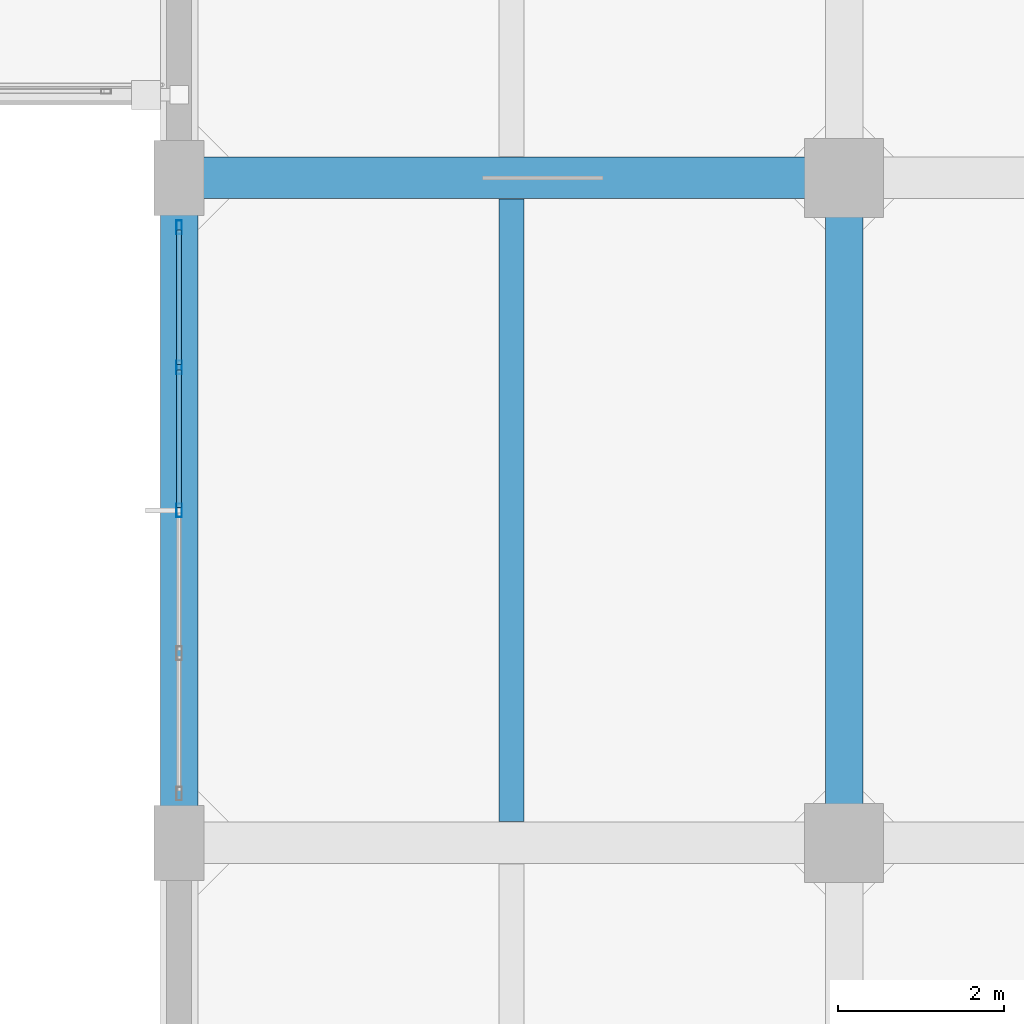
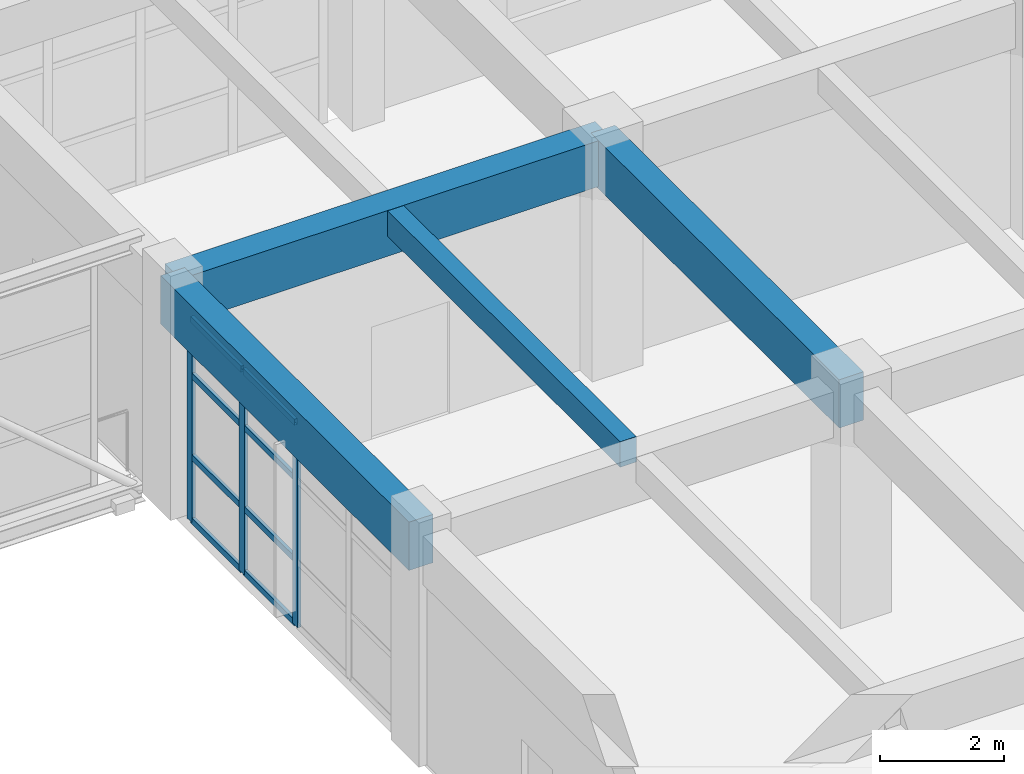
# One storey, part 111 of 248: 11 members, 4 beams, 1 element without a shape of its own.
"""IFC4 building model written with IfcOpenShell, lengths in metres."""

import ifcopenshell
import ifcopenshell.guid

model = None  # the IFC model being written
_history = None  # IfcOwnerHistory: only IFC2X3 demands one
_inside = {}  # id of a spatial element -> (the spatial element, [elements in it])
_under = {}  # id of a project, library or spatial element -> (it, [spatial elements below it])
_declared = {}  # id of a project -> (the project, [libraries it declares])
_typed = {}  # id of a type object -> (the type object, [elements of that type])
_made_of = {}  # id of a material, layer set ... -> (it, [elements and type objects made of it])


def new_model(schema):
    """Start an empty IFC model of exactly this schema.

    Asked for "IFC4X3", IfcOpenShell would pick the latest addendum, in which some entities
    have other attributes; the version numbers below select the first issue.
    IFC2X3 requires an IfcOwnerHistory on every rooted entity: one is made here for all.
    """
    global model, _history
    if schema == "IFC4X3":
        model = ifcopenshell.file(schema_version=(4, 3, 0, 0))
    else:
        model = ifcopenshell.file(schema=schema)
    _inside.clear()
    _under.clear()
    _declared.clear()
    _typed.clear()
    _made_of.clear()
    _history = None
    if model.schema == "IFC2X3":
        org = make("IfcOrganization", Name="unknown")
        user = make(
            "IfcPersonAndOrganization",
            ThePerson=make("IfcPerson", FamilyName="unknown"),
            TheOrganization=org,
        )
        app = make(
            "IfcApplication",
            ApplicationDeveloper=org,
            Version="unknown",
            ApplicationFullName="unknown",
            ApplicationIdentifier="unknown",
        )
        _history = make(
            "IfcOwnerHistory",
            OwningUser=user,
            OwningApplication=app,
            ChangeAction="ADDED",
            CreationDate=0,
        )
    return model


def make(cls, **values):
    """One entity of the class cls with the attributes given. An attribute that is None is left unset."""
    return model.create_entity(
        cls, **{name: value for name, value in values.items() if value is not None}
    )


def rooted(cls, **values):
    """An entity with a GlobalId (a new one), such as an element, a storey or a relation."""
    return make(cls, GlobalId=ifcopenshell.guid.new(), OwnerHistory=_history, **values)


def si_unit(unit_type, name, prefix=None):
    """IfcSIUnit, for example si_unit("LENGTHUNIT", "METRE", prefix="MILLI")."""
    return make("IfcSIUnit", UnitType=unit_type, Prefix=prefix, Name=name)


def assignment(units):
    """IfcUnitAssignment: the units of a project."""
    return None if units is None else make("IfcUnitAssignment", Units=units)


def point(xyz):
    """IfcCartesianPoint."""
    return None if xyz is None else make("IfcCartesianPoint", Coordinates=xyz)


def direction(xyz):
    """IfcDirection."""
    return None if xyz is None else make("IfcDirection", DirectionRatios=xyz)


def frame(location, z_axis=None, x_axis=None):
    """IfcAxis2Placement3D, a coordinate frame: its origin and axes. An axis left out is left unset."""
    return make(
        "IfcAxis2Placement3D",
        Location=point(location),
        Axis=direction(z_axis),
        RefDirection=direction(x_axis),
    )


def frame_2d(location, x_axis=None):
    """IfcAxis2Placement2D, a coordinate frame in the plane: its origin and x axis."""
    return make(
        "IfcAxis2Placement2D", Location=point(location), RefDirection=direction(x_axis)
    )


def origin():
    """The frame at (0, 0, 0) with its axes left unset."""
    return frame((0.0, 0.0, 0.0))


def origin_2d():
    """The frame at (0, 0) in the plane with its x axis left unset."""
    return frame_2d((0.0, 0.0))


def place(relative_to, where):
    """IfcLocalPlacement: puts the frame where relative to a parent placement (None: the world)."""
    return make(
        "IfcLocalPlacement", PlacementRelTo=relative_to, RelativePlacement=where
    )


def context(
    kind, dimensions, precision=None, world=None, true_north=None, identifier=None
):
    """IfcGeometricRepresentationContext, for example the 3D "Model" context."""
    return make(
        "IfcGeometricRepresentationContext",
        ContextIdentifier=identifier,
        ContextType=kind,
        CoordinateSpaceDimension=dimensions,
        Precision=precision,
        WorldCoordinateSystem=world,
        TrueNorth=true_north,
    )


def subcontext(parent, identifier, kind, view, scale=None):
    """IfcGeometricRepresentationSubContext, for example "Body" below "Model"."""
    return make(
        "IfcGeometricRepresentationSubContext",
        ContextIdentifier=identifier,
        ContextType=kind,
        ParentContext=parent,
        TargetScale=scale,
        TargetView=view,
    )


def project(units=None, contexts=None):
    """IfcProject with its units and contexts."""
    return rooted(
        "IfcProject",
        Name="project",
        RepresentationContexts=contexts,
        UnitsInContext=assignment(units),
    )


def spatial(cls, under=None, at=None, **own):
    """A site, building, storey or space (cls), placed at a placement, below another one or the project."""
    s = rooted(cls, ObjectPlacement=at, **own)
    if under is not None:
        _under.setdefault(under.id(), (under, []))[1].append(s)
    return s


def profile(cls, at=None, kind="AREA", **sizes):
    """A parametric profile (cls). Its sizes go by their IFC names, for example OverallWidth=200.0."""
    return make(cls, ProfileType=kind, Position=at, **sizes)


def rectangle(**sizes):
    """IfcRectangleProfileDef."""
    return profile("IfcRectangleProfileDef", **sizes)


def hollow_rectangle(**sizes):
    """IfcRectangleHollowProfileDef."""
    return profile("IfcRectangleHollowProfileDef", **sizes)


def extrude(swept, where, along, depth):
    """IfcExtrudedAreaSolid: the profile swept, set in the frame where, extruded along a direction by depth."""
    return make(
        "IfcExtrudedAreaSolid",
        SweptArea=swept,
        Position=where,
        ExtrudedDirection=direction(along),
        Depth=depth,
    )


def shape(context_of_items, identifier, shape_type, items):
    """IfcShapeRepresentation: the items that make up one representation, for example the "Body"."""
    return make(
        "IfcShapeRepresentation",
        ContextOfItems=context_of_items,
        RepresentationIdentifier=identifier,
        RepresentationType=shape_type,
        Items=items,
    )


def material(Name=None, Category=None):
    """IfcMaterial."""
    return make("IfcMaterial", Name=Name, Category=Category)


def layer(
    of_material, thickness, ventilated=None, Name=None, Category=None, Priority=None
):
    """IfcMaterialLayer: one layer of a wall or slab, of a material (None: an air gap)."""
    return make(
        "IfcMaterialLayer",
        Material=of_material,
        LayerThickness=thickness,
        IsVentilated=ventilated,
        Name=Name,
        Category=Category,
        Priority=Priority,
    )


def layer_set(layers, Name=None):
    """IfcMaterialLayerSet."""
    return make("IfcMaterialLayerSet", MaterialLayers=layers, LayerSetName=Name)


def material_profile(
    of_material, cross_section, Name=None, Category=None, Priority=None
):
    """IfcMaterialProfile: a cross section and its material."""
    return make(
        "IfcMaterialProfile",
        Name=Name,
        Material=of_material,
        Profile=cross_section,
        Priority=Priority,
        Category=Category,
    )


def profile_set(profiles, Name=None, composite=None):
    """IfcMaterialProfileSet."""
    return make(
        "IfcMaterialProfileSet",
        Name=Name,
        MaterialProfiles=profiles,
        CompositeProfile=composite,
    )


def made_of(thing, what):
    """Note that an element or type object is made of a material, layer set ...; save() writes the relation."""
    if what is not None:
        _made_of.setdefault(what.id(), (what, []))[1].append(thing)
    return thing


def type_object(cls, material=None, **own):
    """A type object (cls), such as IfcWallType, which elements share."""
    return made_of(rooted(cls, **own), material)


def element(
    cls,
    number,
    at=None,
    inside=None,
    cuts=None,
    type_object=None,
    material=None,
    context=None,
    identifier="Body",
    shape_type=None,
    held_by="IfcProductDefinitionShape",
    body=None,
    shapes=None,
    **own,
):
    """One element of the class cls, such as IfcWall. Its Tag is "e" and its number.

    at: its placement. inside: the storey or other place that contains it. cuts: it is an
    opening in that element (IfcRelVoidsElement). A single representation is given by context,
    identifier, shape_type and body (its items); several are given by shapes. held_by: the class
    of the entity that holds the representations. save() writes the other relations.
    """
    e = rooted(cls, Tag="e%d" % number, ObjectPlacement=at, **own)
    if body is not None:
        shapes = [shape(context, identifier, shape_type, body)]
    if shapes is not None:
        e.Representation = make(held_by, Representations=shapes)
    if inside is not None:
        _inside.setdefault(inside.id(), (inside, []))[1].append(e)
    if cuts is not None:
        rooted(
            "IfcRelVoidsElement", RelatingBuildingElement=cuts, RelatedOpeningElement=e
        )
    if type_object is not None:
        _typed.setdefault(type_object.id(), (type_object, []))[1].append(e)
    return made_of(e, material)


def aggregate(whole, parts):
    """IfcRelAggregates: a whole, such as a stair, and the parts it consists of."""
    return rooted("IfcRelAggregates", RelatingObject=whole, RelatedObjects=parts)


def save(model, path):
    """Write the relations noted so far, then the file.

    IfcRelAggregates (storeys below a building ...), IfcRelContainedInSpatialStructure (elements
    in a storey), IfcRelDefinesByType, IfcRelAssociatesMaterial and IfcRelDeclares: one each for
    every whole, place, type object, material and project.
    """
    for whole, parts in _under.values():
        aggregate(whole, parts)
    for where, things in _inside.values():
        rooted(
            "IfcRelContainedInSpatialStructure",
            RelatedElements=things,
            RelatingStructure=where,
        )
    for kind, things in _typed.values():
        rooted("IfcRelDefinesByType", RelatedObjects=things, RelatingType=kind)
    for what, things in _made_of.values():
        rooted("IfcRelAssociatesMaterial", RelatedObjects=things, RelatingMaterial=what)
    for by, libraries in _declared.values():
        rooted("IfcRelDeclares", RelatingContext=by, RelatedDefinitions=libraries)
    model.write(path)


model = new_model("IFC4")

# Units and contexts
model_context = context("Model", 3, precision=1e-05, world=origin(), true_north=direction((0.0, 1.0)))
body_context = subcontext(model_context, "Body", "Model", "MODEL_VIEW")
ifc_project = project(units=[si_unit("LENGTHUNIT", "METRE"), si_unit("AREAUNIT", "SQUARE_METRE"), si_unit("VOLUMEUNIT", "CUBIC_METRE"), si_unit("PLANEANGLEUNIT", "RADIAN"), si_unit("MASSUNIT", "GRAM", prefix="KILO")], contexts=[model_context])

# Site, building, storey
site_placement = place(None, origin())
site = spatial("IfcSite", under=ifc_project, at=site_placement, CompositionType="ELEMENT")
building_placement = place(site_placement, origin())
building = spatial("IfcBuilding", under=site, at=building_placement, Name="Canggui Botanical Conservatory", CompositionType="ELEMENT")
storey_placement = place(building_placement, frame((0.0, 0.0, 5.39990234375)))
storey = spatial("IfcBuildingStorey", under=building, at=storey_placement, Name="L02", CompositionType="ELEMENT", Elevation=5.39990234375)

# Beams
ifc_material_1 = material(Name="Concrete C35", Category="concrete")
ifc_material_profile_1 = material_profile(ifc_material_1, rectangle(XDim=0.300048828125, YDim=0.5, at=origin_2d()), Name="RB 300x500")
ifc_profile_set_1 = profile_set([ifc_material_profile_1], Name="Concrete C35")
beam_type_1 = type_object("IfcBeamType", Name="BM-JST02", PredefinedType="JOIST", material=ifc_profile_set_1)
beam_1_placement = place(storey_placement, frame((134.0, 66.2548828125, 4.27001953125), z_axis=(0.0, 1.0, 0.0), x_axis=(-1.0, 0.0, 0.0)))
element("IfcBeam", 1, at=beam_1_placement, inside=storey, type_object=beam_type_1, Name="Secondary Floor Joist L02-1-6", PredefinedType="JOIST", context=body_context, shape_type="SweptSolid", body=[
    extrude(rectangle(XDim=0.300048828125, YDim=0.5, at=origin_2d()), origin(), (0.0, 0.0, 1.0), 7.490234375),
])
ifc_material_profile_2 = material_profile(ifc_material_1, rectangle(XDim=0.5, YDim=0.89990234375, at=origin_2d()), Name="RB 500x900")
ifc_profile_set_2 = profile_set([ifc_material_profile_2], Name="Concrete C35")
beam_type_2 = type_object("IfcBeamType", Name="BM-KL03", PredefinedType="BEAM", material=ifc_profile_set_2)
beam_2_placement = place(storey_placement, frame((130.0, 74.0, 4.070068359375), z_axis=(1.0, 0.0, 0.0), x_axis=(0.0, 1.0, 0.0)))
element("IfcBeam", 2, at=beam_2_placement, inside=storey, type_object=beam_type_2, Name="Frame Girder L02 Y74-1", PredefinedType="BEAM", context=body_context, shape_type="SweptSolid", body=[
    extrude(rectangle(XDim=0.5, YDim=0.89990234375, at=origin_2d()), origin(), (0.0, 0.0, 1.0), 8.0),
])
ifc_material_profile_3 = material_profile(ifc_material_1, rectangle(XDim=0.449951171875, YDim=0.949951171875, at=origin_2d()), Name="RB 450x950")
ifc_profile_set_3 = profile_set([ifc_material_profile_3], Name="Concrete C35")
beam_type_3 = type_object("IfcBeamType", Name="BM-KL04", PredefinedType="BEAM", material=ifc_profile_set_3)
for number, where, z_axis, x_axis, name in (
    (3, (130.0, 66.0, 4.045166015625), (0.0, 1.0, 0.0), (-1.0, 0.0, 0.0), "Frame Girder L02 X130-6"),
    (4, (138.0, 66.0, 4.045166015625), (0.0, 1.0, 0.0), (-1.0, 0.0, 0.0), "Frame Girder L02 X138-6"),
):
    element("IfcBeam", number, at=place(storey_placement, frame(where, z_axis=z_axis, x_axis=x_axis)), inside=storey, type_object=beam_type_3, Name=name, PredefinedType="BEAM", context=body_context, shape_type="SweptSolid", body=[
        extrude(rectangle(XDim=0.449951171875, YDim=0.949951171875, at=origin_2d()), origin(), (0.0, 0.0, 1.0), 8.0),
    ])

# Curtain wall, members
ifc_material_2 = material(Name="Thermally Broken Aluminium", Category="aluminium")
ifc_layer = layer(ifc_material_2, 0.1650390625, Name="Thermally Broken Aluminium", Category="aluminium")
ifc_layer_set = layer_set([ifc_layer], Name="Thermally Broken Aluminium")
curtain_wall_type = type_object("IfcCurtainWallType", Name="CW-UNIT-B", PredefinedType="USERDEFINED", material=ifc_layer_set)
curtain_wall_placement = place(storey_placement, origin())
curtain_wall = element("IfcCurtainWall", 5, at=curtain_wall_placement, inside=storey, type_object=curtain_wall_type, Name="Facade Curtain Wall CW-TWR-L02-12", ObjectType="UNITISED CURTAIN WALL", PredefinedType="USERDEFINED")
ifc_material_profile_4 = material_profile(ifc_material_2, hollow_rectangle(XDim=0.06494140625, YDim=0.1650390625, WallThickness=0.00390625, at=origin_2d()), Name="CWM 65x165x4")
ifc_profile_set_4 = profile_set([ifc_material_profile_4], Name="Thermally Broken Aluminium")
member_type_1 = type_object("IfcMemberType", Name="CWM-02", PredefinedType="MULLION", material=ifc_profile_set_4)
member_1_placement = place(storey_placement, frame((130.0, 70.0, 0.0), z_axis=(0.0, 0.0, 1.0), x_axis=(-1.0, 0.0, 0.0)))
member_1 = element("IfcMember", 6, at=member_1_placement, type_object=member_type_1, Name="CW-02 mullion 3", PredefinedType="MULLION", context=body_context, shape_type="SweptSolid", body=[
    extrude(hollow_rectangle(XDim=0.06494140625, YDim=0.1650390625, WallThickness=0.00390625, at=origin_2d()), origin(), (0.0, 0.0, 1.0), 4.0),
])
member_2_placement = place(storey_placement, frame((130.0, 71.719970703125, 0.0), z_axis=(0.0, 0.0, 1.0), x_axis=(-1.0, 0.0, 0.0)))
member_2 = element("IfcMember", 7, at=member_2_placement, type_object=member_type_1, Name="CW-02 mullion 4", PredefinedType="MULLION", context=body_context, shape_type="SweptSolid", body=[
    extrude(hollow_rectangle(XDim=0.06494140625, YDim=0.1650390625, WallThickness=0.00390625, at=origin_2d()), origin(), (0.0, 0.0, 1.0), 4.0),
])
member_3_placement = place(storey_placement, frame((130.0, 73.407470703125, 0.0), z_axis=(0.0, 0.0, 1.0), x_axis=(-1.0, 0.0, 0.0)))
member_3 = element("IfcMember", 8, at=member_3_placement, type_object=member_type_1, Name="CW-02 mullion 5", PredefinedType="MULLION", context=body_context, shape_type="SweptSolid", body=[
    extrude(hollow_rectangle(XDim=0.06494140625, YDim=0.1650390625, WallThickness=0.00390625, at=origin_2d()), origin(), (0.0, 0.0, 1.0), 4.0),
])
ifc_material_profile_5 = material_profile(ifc_material_2, hollow_rectangle(XDim=0.06005859375, YDim=0.1201171875, WallThickness=0.00341796875, at=origin_2d()), Name="CWT 60x120x3.5")
ifc_profile_set_5 = profile_set([ifc_material_profile_5], Name="Thermally Broken Aluminium")
member_type_2 = type_object("IfcMemberType", Name="CWT-02", PredefinedType="USERDEFINED", material=ifc_profile_set_5)
member_4_placement = place(storey_placement, frame((130.0, 70.032470703125, 0.030029296875), z_axis=(0.0, 1.0, 0.0), x_axis=(-1.0, 0.0, 0.0)))
member_4 = element("IfcMember", 9, at=member_4_placement, type_object=member_type_2, Name="CW-02 transom 3.1", ObjectType="TRANSOM", PredefinedType="USERDEFINED", context=body_context, shape_type="SweptSolid", body=[
    extrude(hollow_rectangle(XDim=0.06005859375, YDim=0.1201171875, WallThickness=0.00341796875, at=origin_2d()), origin(), (0.0, 0.0, 1.0), 1.655029296875),
])
member_5_placement = place(storey_placement, frame((130.0, 70.032470703125, 1.280029296875), z_axis=(0.0, 1.0, 0.0), x_axis=(-1.0, 0.0, 0.0)))
member_5 = element("IfcMember", 10, at=member_5_placement, type_object=member_type_2, Name="CW-02 transom 3.2", ObjectType="TRANSOM", PredefinedType="USERDEFINED", context=body_context, shape_type="SweptSolid", body=[
    extrude(hollow_rectangle(XDim=0.06005859375, YDim=0.1201171875, WallThickness=0.00341796875, at=origin_2d()), origin(), (0.0, 0.0, 1.0), 1.655029296875),
])
member_6_placement = place(storey_placement, frame((130.0, 70.032470703125, 2.880126953125), z_axis=(0.0, 1.0, 0.0), x_axis=(-1.0, 0.0, 0.0)))
member_6 = element("IfcMember", 11, at=member_6_placement, type_object=member_type_2, Name="CW-02 transom 3.3", ObjectType="TRANSOM", PredefinedType="USERDEFINED", context=body_context, shape_type="SweptSolid", body=[
    extrude(hollow_rectangle(XDim=0.06005859375, YDim=0.1201171875, WallThickness=0.00341796875, at=origin_2d()), origin(), (0.0, 0.0, 1.0), 1.655029296875),
])
member_7_placement = place(storey_placement, frame((130.0, 70.032470703125, 3.97021484375), z_axis=(0.0, 1.0, 0.0), x_axis=(-1.0, 0.0, 0.0)))
member_7 = element("IfcMember", 12, at=member_7_placement, type_object=member_type_2, Name="CW-02 transom 3.4", ObjectType="TRANSOM", PredefinedType="USERDEFINED", context=body_context, shape_type="SweptSolid", body=[
    extrude(hollow_rectangle(XDim=0.06005859375, YDim=0.1201171875, WallThickness=0.00341796875, at=origin_2d()), origin(), (0.0, 0.0, 1.0), 1.655029296875),
])
member_8_placement = place(storey_placement, frame((130.0, 71.75244140625, 0.030029296875), z_axis=(0.0, 1.0, 0.0), x_axis=(-1.0, 0.0, 0.0)))
member_8 = element("IfcMember", 13, at=member_8_placement, type_object=member_type_2, Name="CW-02 transom 4.1", ObjectType="TRANSOM", PredefinedType="USERDEFINED", context=body_context, shape_type="SweptSolid", body=[
    extrude(hollow_rectangle(XDim=0.06005859375, YDim=0.1201171875, WallThickness=0.00341796875, at=origin_2d()), origin(), (0.0, 0.0, 1.0), 1.62255859375),
])
member_9_placement = place(storey_placement, frame((130.0, 71.75244140625, 1.280029296875), z_axis=(0.0, 1.0, 0.0), x_axis=(-1.0, 0.0, 0.0)))
member_9 = element("IfcMember", 14, at=member_9_placement, type_object=member_type_2, Name="CW-02 transom 4.2", ObjectType="TRANSOM", PredefinedType="USERDEFINED", context=body_context, shape_type="SweptSolid", body=[
    extrude(hollow_rectangle(XDim=0.06005859375, YDim=0.1201171875, WallThickness=0.00341796875, at=origin_2d()), origin(), (0.0, 0.0, 1.0), 1.62255859375),
])
member_10_placement = place(storey_placement, frame((130.0, 71.75244140625, 2.880126953125), z_axis=(0.0, 1.0, 0.0), x_axis=(-1.0, 0.0, 0.0)))
member_10 = element("IfcMember", 15, at=member_10_placement, type_object=member_type_2, Name="CW-02 transom 4.3", ObjectType="TRANSOM", PredefinedType="USERDEFINED", context=body_context, shape_type="SweptSolid", body=[
    extrude(hollow_rectangle(XDim=0.06005859375, YDim=0.1201171875, WallThickness=0.00341796875, at=origin_2d()), origin(), (0.0, 0.0, 1.0), 1.62255859375),
])
member_11_placement = place(storey_placement, frame((130.0, 71.75244140625, 3.97021484375), z_axis=(0.0, 1.0, 0.0), x_axis=(-1.0, 0.0, 0.0)))
member_11 = element("IfcMember", 16, at=member_11_placement, type_object=member_type_2, Name="CW-02 transom 4.4", ObjectType="TRANSOM", PredefinedType="USERDEFINED", context=body_context, shape_type="SweptSolid", body=[
    extrude(hollow_rectangle(XDim=0.06005859375, YDim=0.1201171875, WallThickness=0.00341796875, at=origin_2d()), origin(), (0.0, 0.0, 1.0), 1.62255859375),
])
aggregate(curtain_wall, [member_1, member_2, member_3, member_4, member_5, member_6, member_7, member_8, member_9, member_10, member_11])

save(model, "model.ifc")
